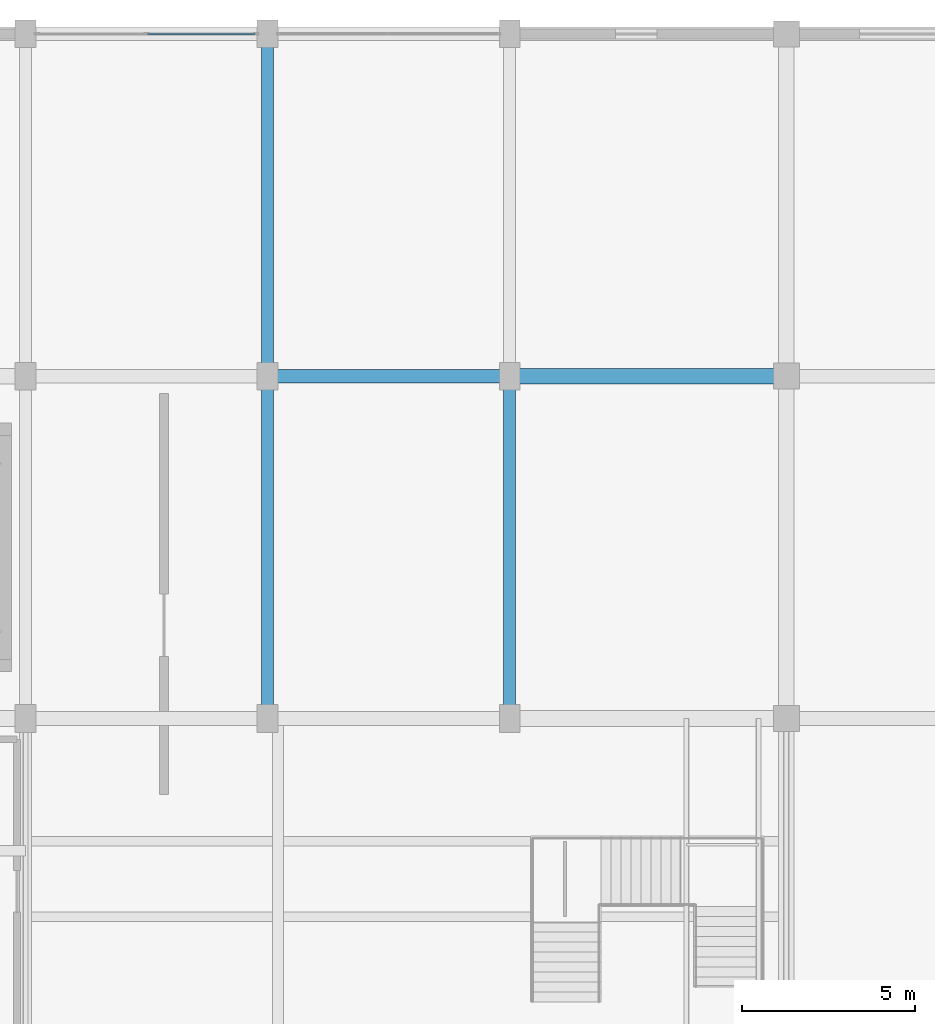
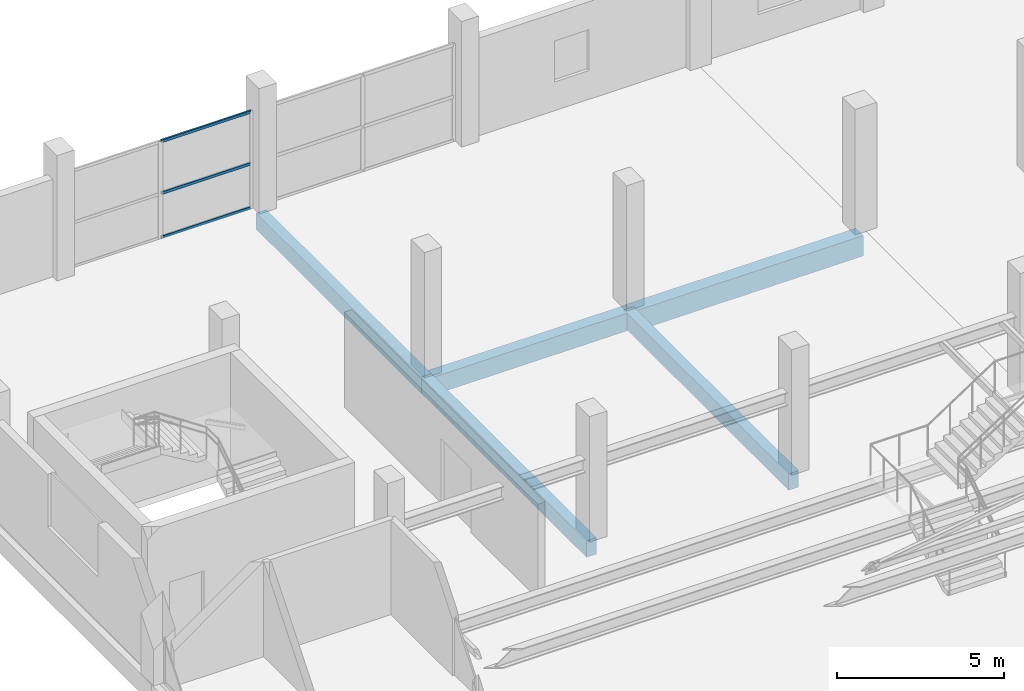
# One storey, part 27 of 49: 5 beams, 3 members, 1 element without a shape of its own.
"""IFC4 building model written with IfcOpenShell, lengths in metres."""

from ifc_helpers import new_model, si_unit, direction, frame, origin, origin_2d, place, context, subcontext, project, spatial, rectangle, hollow_rectangle, extrude, material, layer, layer_set, material_profile, profile_set, type_object, element, aggregate, save


model = new_model("IFC4")

# Units and contexts
model_context = context("Model", 3, precision=1e-05, world=origin(), true_north=direction((0.0, 1.0)))
body_context = subcontext(model_context, "Body", "Model", "MODEL_VIEW")
ifc_project = project(units=[si_unit("LENGTHUNIT", "METRE"), si_unit("AREAUNIT", "SQUARE_METRE"), si_unit("VOLUMEUNIT", "CUBIC_METRE"), si_unit("PLANEANGLEUNIT", "RADIAN"), si_unit("MASSUNIT", "GRAM", prefix="KILO")], contexts=[model_context])

# Site, building, storey
site_placement = place(None, origin())
site = spatial("IfcSite", under=ifc_project, at=site_placement, CompositionType="ELEMENT")
building_placement = place(site_placement, origin())
building = spatial("IfcBuilding", under=site, at=building_placement, Name="Sillaruma Civic Art Gallery", CompositionType="ELEMENT")
storey_placement = place(building_placement, frame((0.0, 0.0, 33.14990234375)))
storey = spatial("IfcBuildingStorey", under=building, at=storey_placement, Name="L06", CompositionType="ELEMENT", Elevation=33.14990234375)

# Beams
ifc_material_1 = material(Name="Concrete H35 (35 MPa)", Category="concrete")
ifc_material_profile_1 = material_profile(ifc_material_1, rectangle(XDim=0.35009765625, YDim=0.60009765625, at=origin_2d()), Name="RCB350x600")
ifc_profile_set_1 = profile_set([ifc_material_profile_1], Name="Concrete H35 (35 MPa)")
beam_type_1 = type_object("IfcBeamType", Name="BM-BEAM-RCB350x600", PredefinedType="BEAM", material=ifc_profile_set_1)
beam_1_placement = place(storey_placement, frame((77.0, 79.199951171875, -0.539794921875), z_axis=(0.0, 1.0, 0.0), x_axis=(-1.0, 0.0, 0.0)))
element("IfcBeam", 1, at=beam_1_placement, inside=storey, type_object=beam_type_1, Name="Beam BM-06 (L05:H:9-10)", PredefinedType="BEAM", context=body_context, shape_type="SweptSolid", body=[
    extrude(rectangle(XDim=0.35009765625, YDim=0.60009765625, at=origin_2d()), origin(), (0.0, 0.0, 1.0), 9.900146484375),
])
beam_2_placement = place(storey_placement, frame((77.0, 89.10009765625, -0.539794921875), z_axis=(0.0, 1.0, 0.0), x_axis=(-1.0, 0.0, 0.0)))
element("IfcBeam", 2, at=beam_2_placement, inside=storey, type_object=beam_type_1, Name="Beam BM-06 (L05:H:10-11)", PredefinedType="BEAM", context=body_context, shape_type="SweptSolid", body=[
    extrude(rectangle(XDim=0.35009765625, YDim=0.60009765625, at=origin_2d()), origin(), (0.0, 0.0, 1.0), 9.89990234375),
])
beam_3_placement = place(storey_placement, frame((84.0, 79.199951171875, -0.539794921875), z_axis=(0.0, 1.0, 0.0), x_axis=(-1.0, 0.0, 0.0)))
element("IfcBeam", 3, at=beam_3_placement, inside=storey, type_object=beam_type_1, Name="Beam BM-06 (L05:J:9-10)", PredefinedType="BEAM", context=body_context, shape_type="SweptSolid", body=[
    extrude(rectangle(XDim=0.35009765625, YDim=0.60009765625, at=origin_2d()), origin(), (0.0, 0.0, 1.0), 9.900146484375),
])
ifc_material_profile_2 = material_profile(ifc_material_1, rectangle(XDim=0.39990234375, YDim=0.64990234375, at=origin_2d()), Name="RCB400x650")
ifc_profile_set_2 = profile_set([ifc_material_profile_2], Name="Concrete H35 (35 MPa)")
beam_type_2 = type_object("IfcBeamType", Name="BM-BEAM-RCB400x650", PredefinedType="BEAM", material=ifc_profile_set_2)
beam_4_placement = place(storey_placement, frame((77.0, 89.10009765625, -0.56494140625), z_axis=(1.0, 0.0, 0.0), x_axis=(0.0, 1.0, 0.0)))
element("IfcBeam", 4, at=beam_4_placement, inside=storey, type_object=beam_type_2, Name="Beam BM-05 (L05:10:H-J)", PredefinedType="BEAM", context=body_context, shape_type="SweptSolid", body=[
    extrude(rectangle(XDim=0.39990234375, YDim=0.64990234375, at=origin_2d()), origin(), (0.0, 0.0, 1.0), 7.0),
])
ifc_material_2 = material(Name="Concrete H40 (40 MPa)", Category="concrete")
ifc_material_profile_3 = material_profile(ifc_material_2, rectangle(XDim=0.449951171875, YDim=0.75, at=origin_2d()), Name="RCB450x750")
ifc_profile_set_3 = profile_set([ifc_material_profile_3], Name="Concrete H40 (40 MPa)")
beam_type_3 = type_object("IfcBeamType", Name="BM-BEAM-RCB450x750", PredefinedType="BEAM", material=ifc_profile_set_3)
beam_5_placement = place(storey_placement, frame((84.0, 89.10009765625, -0.614990234375), z_axis=(1.0, 0.0, 0.0), x_axis=(0.0, 1.0, 0.0)))
element("IfcBeam", 5, at=beam_5_placement, inside=storey, type_object=beam_type_3, Name="Beam BM-03 (L05:10:J-K)", PredefinedType="BEAM", context=body_context, shape_type="SweptSolid", body=[
    extrude(rectangle(XDim=0.449951171875, YDim=0.75, at=origin_2d()), origin(), (0.0, 0.0, 1.0), 8.0),
])

# Curtain wall, members
ifc_material_3 = material(Name="Thermally Broken Extruded Aluminium 6063-T6", Category="aluminium")
ifc_layer = layer(ifc_material_3, 0.159912109375, Name="Thermally Broken Extruded Aluminium 6063-T6")
ifc_layer_set = layer_set([ifc_layer], Name="Thermally Broken Extruded Aluminium 6063-T6")
curtain_wall_type = type_object("IfcCurtainWallType", Name="CW-UNI-37", PredefinedType="NOTDEFINED", material=ifc_layer_set)
curtain_wall_placement = place(storey_placement, origin())
curtain_wall = element("IfcCurtainWall", 6, at=curtain_wall_placement, inside=storey, type_object=curtain_wall_type, Name="Unitised Curtain Wall CW-37 (CW-L06-N-2)", PredefinedType="NOTDEFINED")
ifc_material_profile_4 = material_profile(ifc_material_3, hollow_rectangle(XDim=0.06005859375, YDim=0.10009765625, WallThickness=0.003173828125, at=origin_2d()), Name="CWT60x100")
ifc_profile_set_4 = profile_set([ifc_material_profile_4], Name="Thermally Broken Extruded Aluminium 6063-T6")
member_type = type_object("IfcMemberType", Name="MEM-TRN-CWT60x100", PredefinedType="USERDEFINED", material=ifc_profile_set_4)
member_1_placement = place(storey_placement, frame((73.532470703125, 99.0, 0.030029296875), z_axis=(1.0, 0.0, 0.0), x_axis=(0.0, 1.0, 0.0)))
member_1 = element("IfcMember", 7, at=member_1_placement, type_object=member_type, Name="CW-37 transom 2.1", ObjectType="TRANSOM", PredefinedType="USERDEFINED", context=body_context, shape_type="SweptSolid", body=[
    extrude(hollow_rectangle(XDim=0.06005859375, YDim=0.10009765625, WallThickness=0.003173828125, at=origin_2d()), origin(), (0.0, 0.0, 1.0), 3.1025390625),
])
member_2_placement = place(storey_placement, frame((73.532470703125, 99.0, 1.642333984375), z_axis=(1.0, 0.0, 0.0), x_axis=(0.0, 1.0, 0.0)))
member_2 = element("IfcMember", 8, at=member_2_placement, type_object=member_type, Name="CW-37 transom 2.2", ObjectType="TRANSOM", PredefinedType="USERDEFINED", context=body_context, shape_type="SweptSolid", body=[
    extrude(hollow_rectangle(XDim=0.06005859375, YDim=0.10009765625, WallThickness=0.003173828125, at=origin_2d()), origin(), (0.0, 0.0, 1.0), 3.1025390625),
])
member_3_placement = place(storey_placement, frame((73.532470703125, 99.0, 3.5400390625), z_axis=(1.0, 0.0, 0.0), x_axis=(0.0, 1.0, 0.0)))
member_3 = element("IfcMember", 9, at=member_3_placement, type_object=member_type, Name="CW-37 transom 2.3", ObjectType="TRANSOM", PredefinedType="USERDEFINED", context=body_context, shape_type="SweptSolid", body=[
    extrude(hollow_rectangle(XDim=0.06005859375, YDim=0.10009765625, WallThickness=0.003173828125, at=origin_2d()), origin(), (0.0, 0.0, 1.0), 3.1025390625),
])
aggregate(curtain_wall, [member_1, member_2, member_3])

save(model, "model.ifc")
